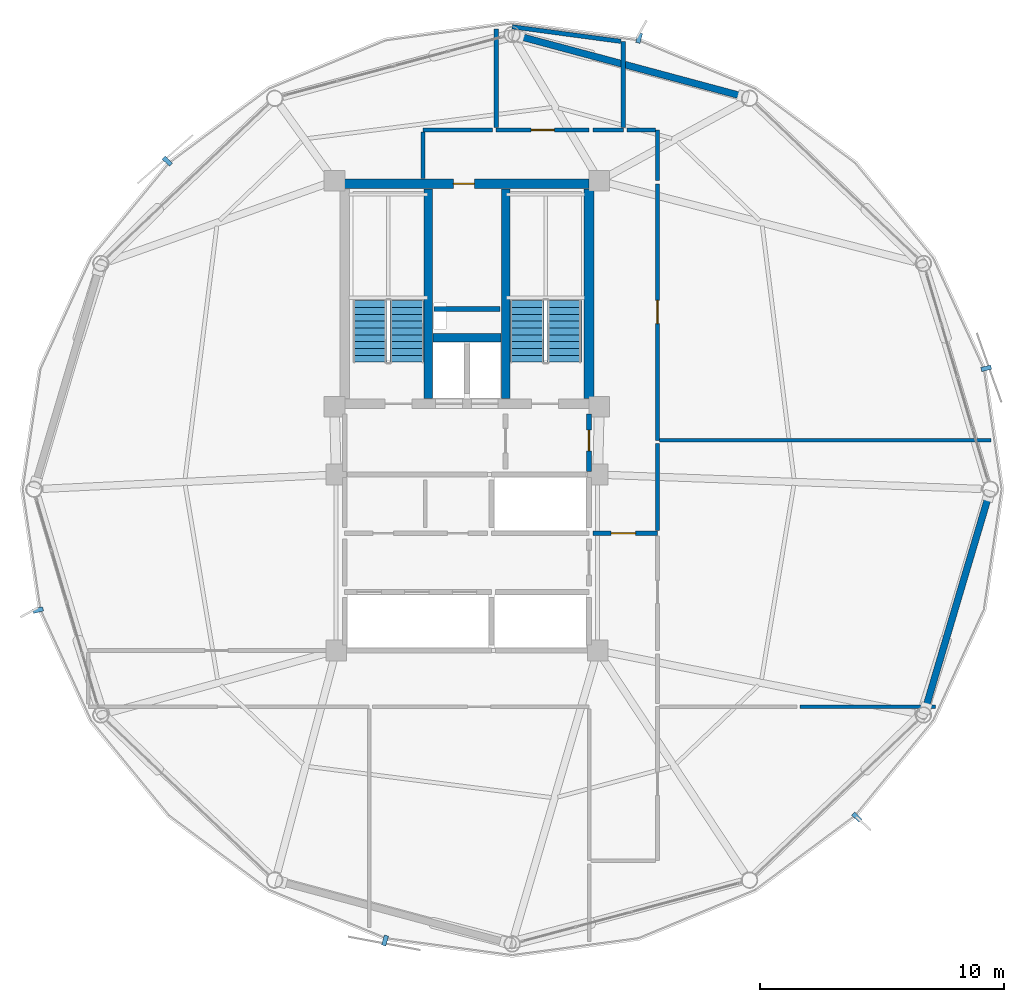
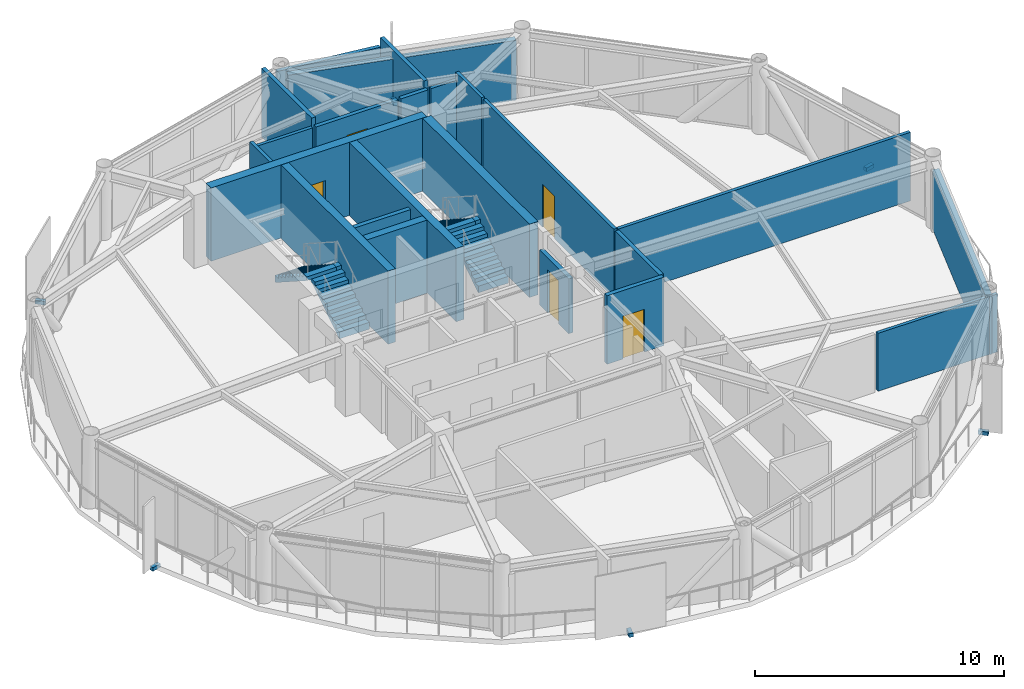
# One storey, part 25 of 29: 23 walls, 6 discrete accessories, 5 doors, 4 stair flights, 5 openings, 2 elements without a shape of their own.
"""IFC4 building model written with IfcOpenShell, lengths in metres."""

from ifc_helpers import new_model, si_unit, direction, frame, frame_2d, origin, origin_2d, place, context, subcontext, project, spatial, polyline, rectangle, outline, extrude, source, transform, mapped, material, layer, layer_set, type_object, type_shapes, element, fill, aggregate, save


model = new_model("IFC4")

# Units and contexts
model_context = context("Model", 3, precision=1e-05, world=origin(), true_north=direction((0.0, 1.0)))
body_context = subcontext(model_context, "Body", "Model", "MODEL_VIEW")
ifc_project = project(units=[si_unit("LENGTHUNIT", "METRE"), si_unit("AREAUNIT", "SQUARE_METRE"), si_unit("VOLUMEUNIT", "CUBIC_METRE"), si_unit("PLANEANGLEUNIT", "RADIAN"), si_unit("MASSUNIT", "GRAM", prefix="KILO")], contexts=[model_context])

# Site, building, storey
site_placement = place(None, origin())
site = spatial("IfcSite", under=ifc_project, at=site_placement, CompositionType="ELEMENT")
building_placement = place(site_placement, origin())
building = spatial("IfcBuilding", under=site, at=building_placement, Name="Varnakorn Sky Granary", CompositionType="ELEMENT")
storey_placement = place(building_placement, frame((0.0, 0.0, 189.60009765625)))
storey = spatial("IfcBuildingStorey", under=building, at=storey_placement, Name="L47", CompositionType="ELEMENT", Elevation=189.60009765625)

# Walls
ifc_material_1 = material(Name="Concrete C50/60", Category="concrete")
ifc_layer_1 = layer(ifc_material_1, 0.35009765625, Name="Concrete C50/60")
ifc_layer_set_1 = layer_set([ifc_layer_1], Name="Concrete C50/60")
wall_type_1 = type_object("IfcWallType", Name="WT-CW-INT-350", PredefinedType="SHEAR", material=ifc_layer_set_1)
for number, where, z_axis, x_axis, name in (
    (1, (1.419921875, 3.7099609375, 0.0), (0.0, 0.0, 1.0), (0.0, 1.0, 0.0), "Stair ST-1 Core Wall L47"),
    (2, (4.580078125, 3.7099609375, 0.0), (0.0, 0.0, 1.0), (0.0, 1.0, 0.0), "Stair ST-2 Core Wall L47"),
):
    element("IfcWall", number, at=place(storey_placement, frame(where, z_axis=z_axis, x_axis=x_axis)), inside=storey, type_object=wall_type_1, Name=name, PredefinedType="SHEAR", context=body_context, shape_type="SweptSolid", body=[
        extrude(rectangle(XDim=8.580078125, YDim=0.35009765625, at=frame_2d((4.2900390625, 0.0))), origin(), (0.0, 0.0, 1.0), 3.591796875),
    ])
wall_1_placement = place(storey_placement, frame((1.610107421875, 6.199951171875, 0.0), z_axis=(0.0, 0.0, 1.0), x_axis=(1.0, 0.0, 0.0)))
element("IfcWall", 3, at=wall_1_placement, inside=storey, type_object=wall_type_1, Name="Core Lift Shaft Cross Wall L47", PredefinedType="SHEAR", context=body_context, shape_type="SweptSolid", body=[
    extrude(rectangle(XDim=2.77978515625, YDim=0.35009765625, at=frame_2d((1.389892578125, 0.0))), origin(), (0.0, 0.0, 1.0), 3.591796875),
])

# Wall, opening, door
ifc_layer_2 = layer(ifc_material_1, 0.39990234375, Name="Concrete C50/60")
ifc_layer_set_2 = layer_set([ifc_layer_2], Name="Concrete C50/60")
wall_type_2 = type_object("IfcWallType", Name="WT-CW-SHEAR-400", PredefinedType="SHEAR", material=ifc_layer_set_2)
wall_2_placement = place(storey_placement, frame((-2.0, 12.5, 0.0), z_axis=(0.0, 0.0, 1.0), x_axis=(1.0, 0.0, 0.0)))
wall_2 = element("IfcWall", 4, at=wall_2_placement, inside=storey, type_object=wall_type_2, Name="Core North Shear Wall L47", PredefinedType="SHEAR", context=body_context, shape_type="SweptSolid", body=[
    extrude(rectangle(XDim=10.0, YDim=0.39990234375, at=frame_2d((5.0, 0.0))), origin(), (0.0, 0.0, 1.0), 3.591796875),
])
opening_1_placement = place(wall_2_placement, frame((4.449951171875, 0.0, 0.0)))
opening_1 = element("IfcOpeningElement", 5, at=opening_1_placement, cuts=wall_2, Name="Opening FD-60N", PredefinedType="OPENING", context=body_context, shape_type="SweptSolid", body=[
    extrude(rectangle(XDim=0.85009765625, YDim=2.10009765625, at=frame_2d((0.425048828125, 1.050048828125))), frame((0.0, 0.2099609375, 0.0), z_axis=(0.0, -1.0, 0.0), x_axis=(1.0, 0.0, 0.0)), (0.0, 0.0, 1.0), 0.419921875),
])
ifc_material_2 = material(Name="Acoustic Timber Fire Leaf", Category="wood")
door_type_1 = type_object("IfcDoorType", Name="DR-FD60-850", OperationType="NOTDEFINED", PredefinedType="DOOR", material=ifc_material_2)
door_1_placement = place(opening_1_placement, origin())
door_1 = element("IfcDoor", 6, at=door_1_placement, inside=storey, type_object=door_type_1, Name="Core North Service Door L47", OperationType="SINGLE_SWING_LEFT", OverallHeight=2.10009765625, OverallWidth=0.85009765625, PredefinedType="DOOR", context=body_context, shape_type="SweptSolid", body=[
    extrude(rectangle(XDim=0.85009765625, YDim=2.10009765625, at=frame_2d((0.425048828125, 1.050048828125))), frame((0.0, 0.02490234375, 0.0), z_axis=(0.0, -1.0, 0.0), x_axis=(1.0, 0.0, 0.0)), (0.0, 0.0, 1.0), 0.050048828125),
])
fill(opening_1, door_1)

# Walls
wall_3_placement = place(storey_placement, frame((8.0, 3.7099609375, 0.0), z_axis=(0.0, 0.0, 1.0), x_axis=(0.0, 1.0, 0.0)))
element("IfcWall", 7, at=wall_3_placement, inside=storey, type_object=wall_type_2, Name="Core East Shear Wall L47", PredefinedType="SHEAR", context=body_context, shape_type="SweptSolid", body=[
    extrude(rectangle(XDim=8.580078125, YDim=0.39990234375, at=frame_2d((4.2900390625, 0.0))), origin(), (0.0, 0.0, 1.0), 3.591796875),
])
ifc_material_3 = material(Name="Precast concrete C40/50", Category="concrete")
ifc_layer_3 = layer(ifc_material_3, 0.280029296875, Name="Precast concrete C40/50")
ifc_layer_set_3 = layer_set([ifc_layer_3], Name="Precast concrete C40/50")
wall_type_3 = type_object("IfcWallType", Name="WT-EW-CRN-280", PredefinedType="SOLIDWALL", material=ifc_layer_set_3)
wall_4_placement = place(storey_placement, frame((5.125244140625, 18.541015625, 0.0), z_axis=(0.0, 0.0, 1.0), x_axis=(0.965778151595, -0.259369546981, 0.0)))
element("IfcWall", 8, at=wall_4_placement, inside=storey, type_object=wall_type_3, Name="Agritech Insulated Precast Facade Wall L47-P03", PredefinedType="SOLIDWALL", context=body_context, shape_type="SweptSolid", body=[
    extrude(rectangle(XDim=9.49658203125, YDim=0.280029296875, at=frame_2d((4.748291015625, 0.0))), origin(), (0.0, 0.0, 1.0), 2.929931640625),
])
wall_5_placement = place(storey_placement, frame((24.347900390625, -0.273193359375, 0.0), z_axis=(0.0, 0.0, 1.0), x_axis=(-0.2842909157, -0.958738063942, 0.0)))
element("IfcWall", 9, at=wall_5_placement, inside=storey, type_object=wall_type_3, Name="Agritech Insulated Precast Facade Wall L47-P12", PredefinedType="SOLIDWALL", context=body_context, shape_type="SweptSolid", body=[
    extrude(rectangle(XDim=9.06787109375, YDim=0.280029296875, at=frame_2d((4.533935546875, 0.0))), origin(), (0.0, 0.0, 1.0), 2.929931640625),
])

# Wall, opening, door
ifc_material_4 = material(Name="Autoclaved Aerated Concrete Blockwork", Category="masonry")
ifc_layer_4 = layer(ifc_material_4, 0.199951171875, Name="Autoclaved Aerated Concrete Blockwork")
ifc_layer_set_4 = layer_set([ifc_layer_4], Name="Autoclaved Aerated Concrete Blockwork")
wall_type_4 = type_object("IfcWallType", Name="WT-FIRE-200", PredefinedType="MOVABLE", material=ifc_layer_set_4)
wall_6_placement = place(storey_placement, frame((8.0, 0.719970703125, 0.0), z_axis=(0.0, 0.0, 1.0), x_axis=(0.0, 1.0, 0.0)))
wall_6 = element("IfcWall", 10, at=wall_6_placement, inside=storey, type_object=wall_type_4, Name="Interior Partition Wall L47-015", PredefinedType="MOVABLE", context=body_context, shape_type="SweptSolid", body=[
    extrude(rectangle(XDim=2.35009765625, YDim=0.199951171875, at=frame_2d((1.175048828125, 0.0))), origin(), (0.0, 0.0, 1.0), 2.69189453125),
])
opening_2_placement = place(wall_6_placement, frame((0.844970703125, 0.0, 0.0)))
opening_2 = element("IfcOpeningElement", 11, at=opening_2_placement, cuts=wall_6, Name="Opening FD-60N", PredefinedType="OPENING", context=body_context, shape_type="SweptSolid", body=[
    extrude(rectangle(XDim=0.85009765625, YDim=2.10009765625, at=frame_2d((0.425048828125, 1.050048828125))), frame((0.0, 0.10986328125, 0.0), z_axis=(0.0, -1.0, 0.0), x_axis=(1.0, 0.0, 0.0)), (0.0, 0.0, 1.0), 0.219970703125),
])
door_2_placement = place(opening_2_placement, origin())
door_2 = element("IfcDoor", 12, at=door_2_placement, inside=storey, type_object=door_type_1, Name="Interior Door L47-015-1", OperationType="SINGLE_SWING_LEFT", OverallHeight=2.10009765625, OverallWidth=0.85009765625, PredefinedType="DOOR", context=body_context, shape_type="SweptSolid", body=[
    extrude(rectangle(XDim=0.85009765625, YDim=2.10009765625, at=frame_2d((0.425048828125, 1.050048828125))), frame((0.0, 0.02490234375, 0.0), z_axis=(0.0, -1.0, 0.0), x_axis=(1.0, 0.0, 0.0)), (0.0, 0.0, 1.0), 0.050048828125),
])
fill(opening_2, door_2)

wall_7_placement = place(storey_placement, frame((8.159912109375, -1.800048828125, 0.0), z_axis=(0.0, 0.0, 1.0), x_axis=(1.0, 0.0, 0.0)))
wall_7 = element("IfcWall", 13, at=wall_7_placement, inside=storey, type_object=wall_type_4, Name="Interior Partition Wall L47-018", PredefinedType="MOVABLE", context=body_context, shape_type="SweptSolid", body=[
    extrude(rectangle(XDim=2.64013671875, YDim=0.199951171875, at=frame_2d((1.320068359375, 0.0))), origin(), (0.0, 0.0, 1.0), 3.35986328125),
])
opening_3_placement = place(wall_7_placement, frame((0.739990234375, 0.0, 0.0)))
opening_3 = element("IfcOpeningElement", 14, at=opening_3_placement, cuts=wall_7, Name="Opening FD-60", PredefinedType="OPENING", context=body_context, shape_type="SweptSolid", body=[
    extrude(rectangle(XDim=1.0, YDim=2.10009765625, at=frame_2d((0.5, 1.050048828125))), frame((0.0, 0.10986328125, 0.0), z_axis=(0.0, -1.0, 0.0), x_axis=(1.0, 0.0, 0.0)), (0.0, 0.0, 1.0), 0.219970703125),
])
door_type_2 = type_object("IfcDoorType", Name="DR-FD60-1000", OperationType="NOTDEFINED", PredefinedType="DOOR", material=ifc_material_2)
door_3_placement = place(opening_3_placement, origin())
door_3 = element("IfcDoor", 15, at=door_3_placement, inside=storey, type_object=door_type_2, Name="Interior Door L47-018-1", OperationType="SINGLE_SWING_LEFT", OverallHeight=2.10009765625, OverallWidth=1.0, PredefinedType="DOOR", context=body_context, shape_type="SweptSolid", body=[
    extrude(rectangle(XDim=1.0, YDim=2.10009765625, at=frame_2d((0.5, 1.050048828125))), frame((0.0, 0.02490234375, 0.0), z_axis=(0.0, -1.0, 0.0), x_axis=(1.0, 0.0, 0.0)), (0.0, 0.0, 1.0), 0.050048828125),
])
fill(opening_3, door_3)

ifc_material_5 = material(Name="Gypsum Plasterboard on Steel Stud", Category="steel")
ifc_layer_5 = layer(ifc_material_5, 0.14990234375, Name="Gypsum Plasterboard on Steel Stud")
ifc_layer_set_5 = layer_set([ifc_layer_5], Name="Gypsum Plasterboard on Steel Stud")
wall_type_5 = type_object("IfcWallType", Name="WT-PART-150", PredefinedType="PARTITIONING", material=ifc_layer_set_5)
wall_8_placement = place(storey_placement, frame((10.800048828125, 2.0, 0.0), z_axis=(0.0, 0.0, 1.0), x_axis=(0.0, 1.0, 0.0)))
wall_8 = element("IfcWall", 16, at=wall_8_placement, inside=storey, type_object=wall_type_5, Name="Interior Partition Wall L47-025", PredefinedType="PARTITIONING", context=body_context, shape_type="SweptSolid", body=[
    extrude(rectangle(XDim=10.5, YDim=0.14990234375, at=frame_2d((5.25, 0.0))), origin(), (0.0, 0.0, 1.0), 3.35986328125),
])
opening_4_placement = place(wall_8_placement, frame((4.77490234375, 0.0, 0.0)))
opening_4 = element("IfcOpeningElement", 17, at=opening_4_placement, cuts=wall_8, Name="Opening ID-95", PredefinedType="OPENING", context=body_context, shape_type="SweptSolid", body=[
    extrude(rectangle(XDim=0.949951171875, YDim=2.10009765625, at=frame_2d((0.47509765625, 1.050048828125))), frame((0.0, 0.0849609375, 0.0), z_axis=(0.0, -1.0, 0.0), x_axis=(1.0, 0.0, 0.0)), (0.0, 0.0, 1.0), 0.169921875),
])
ifc_material_6 = material(Name="Solid-Core Teak Veneer Leaf", Category="timber")
door_type_3 = type_object("IfcDoorType", Name="DR-INT-950", OperationType="NOTDEFINED", PredefinedType="DOOR", material=ifc_material_6)
door_4_placement = place(opening_4_placement, origin())
door_4 = element("IfcDoor", 18, at=door_4_placement, inside=storey, type_object=door_type_3, Name="Interior Door L47-025-1", OperationType="SINGLE_SWING_RIGHT", OverallHeight=2.10009765625, OverallWidth=0.949951171875, PredefinedType="DOOR", context=body_context, shape_type="SweptSolid", body=[
    extrude(rectangle(XDim=0.949951171875, YDim=2.10009765625, at=frame_2d((0.47509765625, 1.050048828125))), frame((0.0, 0.02490234375, 0.0), z_axis=(0.0, -1.0, 0.0), x_axis=(1.0, 0.0, 0.0)), (0.0, 0.0, 1.0), 0.050048828125),
])
fill(opening_4, door_4)

# Walls
wall_9_placement = place(storey_placement, frame((16.635009765625, -8.89990234375, 0.0), z_axis=(0.0, 0.0, 1.0), x_axis=(1.0, 0.0, 0.0)))
element("IfcWall", 19, at=wall_9_placement, inside=storey, type_object=wall_type_5, Name="Interior Partition Wall L47-037", PredefinedType="PARTITIONING", context=body_context, shape_type="SweptSolid", body=[
    extrude(rectangle(XDim=5.549072265625, YDim=0.14990234375, at=frame_2d((2.7744140625, 0.0))), origin(), (0.0, 0.0, 1.0), 2.841796875),
])
wall_10_placement = place(storey_placement, frame((4.050048828125, 14.699951171875, 0.0), z_axis=(0.0, 0.0, 1.0), x_axis=(-1.0, 0.0, 0.0)))
element("IfcWall", 20, at=wall_10_placement, inside=storey, type_object=wall_type_5, Name="Interior Partition Wall L47-039", PredefinedType="PARTITIONING", context=body_context, shape_type="SweptSolid", body=[
    extrude(rectangle(XDim=2.85009765625, YDim=0.14990234375, at=frame_2d((1.425048828125, 0.0))), origin(), (0.0, 0.0, 1.0), 3.011962890625),
])
wall_11_placement = place(storey_placement, frame((1.199951171875, 14.614990234375, 0.0), z_axis=(0.0, 0.0, 1.0), x_axis=(0.0, -1.0, 0.0)))
element("IfcWall", 21, at=wall_11_placement, inside=storey, type_object=wall_type_5, Name="Interior Partition Wall L47-040", PredefinedType="PARTITIONING", context=body_context, shape_type="SweptSolid", body=[
    extrude(rectangle(XDim=1.905029296875, YDim=0.14990234375, at=frame_2d((0.95263671875, 0.0))), origin(), (0.0, 0.0, 1.0), 3.35986328125),
])
wall_12_placement = place(storey_placement, frame((10.885009765625, 2.0, 0.0), z_axis=(0.0, 0.0, 1.0), x_axis=(1.0, 0.0, 0.0)))
element("IfcWall", 22, at=wall_12_placement, inside=storey, type_object=wall_type_5, Name="Interior Partition Wall L47-044", PredefinedType="PARTITIONING", context=body_context, shape_type="SweptSolid", body=[
    extrude(rectangle(XDim=13.55908203125, YDim=0.14990234375, at=frame_2d((6.779541015625, 0.0))), origin(), (0.0, 0.0, 1.0), 3.35986328125),
])
wall_13_placement = place(storey_placement, frame((10.800048828125, 12.635009765625, 0.0), z_axis=(0.0, 0.0, 1.0), x_axis=(0.0, 1.0, 0.0)))
element("IfcWall", 23, at=wall_13_placement, inside=storey, type_object=wall_type_5, Name="Interior Partition Wall L47-045", PredefinedType="PARTITIONING", context=body_context, shape_type="SweptSolid", body=[
    extrude(rectangle(XDim=2.06494140625, YDim=0.14990234375, at=frame_2d((1.032470703125, 0.0))), origin(), (0.0, 0.0, 1.0), 3.35986328125),
])
wall_14_placement = place(storey_placement, frame((10.715087890625, 14.699951171875, 0.0), z_axis=(0.0, 0.0, 1.0), x_axis=(-1.0, 0.0, 0.0)))
element("IfcWall", 24, at=wall_14_placement, inside=storey, type_object=wall_type_5, Name="Interior Partition Wall L47-046", PredefinedType="PARTITIONING", context=body_context, shape_type="SweptSolid", body=[
    extrude(rectangle(XDim=1.1650390625, YDim=0.14990234375, at=frame_2d((0.58251953125, 0.0))), origin(), (0.0, 0.0, 1.0), 3.011962890625),
])

# Wall, opening, door
ifc_material_7 = material(Name="Moisture-Resistant Gypsum on Stud", Category="gypsum")
ifc_layer_6 = layer(ifc_material_7, 0.179931640625, Name="Moisture-Resistant Gypsum on Stud")
ifc_layer_set_6 = layer_set([ifc_layer_6], Name="Moisture-Resistant Gypsum on Stud")
wall_type_6 = type_object("IfcWallType", Name="WT-PLUMB-180", PredefinedType="PLUMBINGWALL", material=ifc_layer_set_6)
wall_15_placement = place(storey_placement, frame((8.0, 14.699951171875, 0.0), z_axis=(0.0, 0.0, 1.0), x_axis=(-1.0, 0.0, 0.0)))
wall_15 = element("IfcWall", 25, at=wall_15_placement, inside=storey, type_object=wall_type_6, Name="Interior Partition Wall L47-019", PredefinedType="PLUMBINGWALL", context=body_context, shape_type="SweptSolid", body=[
    extrude(rectangle(XDim=3.800048828125, YDim=0.179931640625, at=frame_2d((1.89990234375, 0.0))), origin(), (0.0, 0.0, 1.0), 3.011962890625),
])
opening_5_placement = place(wall_15_placement, frame((1.425048828125, 0.0, 0.0)))
opening_5 = element("IfcOpeningElement", 26, at=opening_5_placement, cuts=wall_15, Name="Opening ID-95", PredefinedType="OPENING", context=body_context, shape_type="SweptSolid", body=[
    extrude(rectangle(XDim=0.949951171875, YDim=2.10009765625, at=frame_2d((0.47509765625, 1.050048828125))), frame((0.0, 0.10009765625, 0.0), z_axis=(0.0, -1.0, 0.0), x_axis=(1.0, 0.0, 0.0)), (0.0, 0.0, 1.0), 0.199951171875),
])
door_5_placement = place(opening_5_placement, origin())
door_5 = element("IfcDoor", 27, at=door_5_placement, inside=storey, type_object=door_type_3, Name="Interior Door L47-019-1", OperationType="SINGLE_SWING_RIGHT", OverallHeight=2.10009765625, OverallWidth=0.949951171875, PredefinedType="DOOR", context=body_context, shape_type="SweptSolid", body=[
    extrude(rectangle(XDim=0.949951171875, YDim=2.10009765625, at=frame_2d((0.47509765625, 1.050048828125))), frame((0.0, 0.02490234375, 0.0), z_axis=(0.0, -1.0, 0.0), x_axis=(1.0, 0.0, 0.0)), (0.0, 0.0, 1.0), 0.050048828125),
])
fill(opening_5, door_5)

# Walls
wall_16_placement = place(storey_placement, frame((9.39990234375, 14.699951171875, 0.0), z_axis=(0.0, 0.0, 1.0), x_axis=(-1.0, 0.0, 0.0)))
element("IfcWall", 28, at=wall_16_placement, inside=storey, type_object=wall_type_6, Name="Interior Partition Wall L47-031", PredefinedType="PLUMBINGWALL", context=body_context, shape_type="SweptSolid", body=[
    extrude(rectangle(XDim=1.25, YDim=0.179931640625, at=frame_2d((0.625, 0.0))), origin(), (0.0, 0.0, 1.0), 3.011962890625),
])
wall_17_placement = place(storey_placement, frame((4.199951171875, 18.837890625, 0.0), z_axis=(0.0, 0.0, 1.0), x_axis=(0.0, -1.0, 0.0)))
element("IfcWall", 29, at=wall_17_placement, inside=storey, type_object=wall_type_6, Name="Interior Partition Wall L47-041", PredefinedType="PLUMBINGWALL", context=body_context, shape_type="SweptSolid", body=[
    extrude(rectangle(XDim=4.037841796875, YDim=0.179931640625, at=frame_2d((2.01904296875, 0.0))), origin(), (0.0, 0.0, 1.0), 3.35986328125),
])
wall_18_placement = place(storey_placement, frame((10.800048828125, -1.68994140625, 0.0), z_axis=(0.0, 0.0, 1.0), x_axis=(0.0, 1.0, 0.0)))
element("IfcWall", 30, at=wall_18_placement, inside=storey, type_object=wall_type_6, Name="Interior Partition Wall L47-043", PredefinedType="PLUMBINGWALL", context=body_context, shape_type="SweptSolid", body=[
    extrude(rectangle(XDim=3.554931640625, YDim=0.179931640625, at=frame_2d((1.77734375, 0.0))), origin(), (0.0, 0.0, 1.0), 3.35986328125),
])
wall_19_placement = place(storey_placement, frame((9.39990234375, 14.800048828125, 0.0), z_axis=(0.0, 0.0, 1.0), x_axis=(0.0, 1.0, 0.0)))
element("IfcWall", 31, at=wall_19_placement, inside=storey, type_object=wall_type_6, Name="Interior Partition Wall L47-047", PredefinedType="PLUMBINGWALL", context=body_context, shape_type="SweptSolid", body=[
    extrude(rectangle(XDim=3.514892578125, YDim=0.179931640625, at=frame_2d((1.75732421875, 0.0))), origin(), (0.0, 0.0, 1.0), 3.35986328125),
])
wall_20_placement = place(storey_placement, frame((9.301025390625, 18.327880859375, 0.0), z_axis=(0.0, 0.0, 1.0), x_axis=(-0.991119313956, 0.132975582356, 0.0)))
element("IfcWall", 32, at=wall_20_placement, inside=storey, type_object=wall_type_6, Name="Interior Partition Wall L47-048", PredefinedType="PLUMBINGWALL", context=body_context, shape_type="SweptSolid", body=[
    extrude(rectangle(XDim=4.49072265625, YDim=0.179931640625, at=frame_2d((2.245361328125, 0.0))), origin(), (0.0, 0.0, 1.0), 2.94189453125),
])
ifc_layer_7 = layer(ifc_material_4, 0.199951171875, Name="Autoclaved Aerated Concrete Blockwork")
ifc_layer_set_7 = layer_set([ifc_layer_7], Name="Autoclaved Aerated Concrete Blockwork")
wall_type_7 = type_object("IfcWallType", Name="WT-SHAFT-200", PredefinedType="SOLIDWALL", material=ifc_layer_set_7)
wall_21_placement = place(storey_placement, frame((1.64990234375, 7.3798828125, 0.0), z_axis=(0.0, 0.0, 1.0), x_axis=(1.0, 0.0, 0.0)))
element("IfcWall", 33, at=wall_21_placement, inside=storey, type_object=wall_type_7, Name="Interior Partition Wall L47-002", PredefinedType="SOLIDWALL", context=body_context, shape_type="SweptSolid", body=[
    extrude(rectangle(XDim=2.7001953125, YDim=0.199951171875, at=frame_2d((1.35009765625, 0.0))), origin(), (0.0, 0.0, 1.0), 3.35986328125),
])

# Stair, stair flights
ifc_material_8 = material(Name="Concrete C40/50", Category="concrete")
stair_type = type_object("IfcStairType", Name="ST-MAIN-ASSEMBLY", PredefinedType="HALF_TURN_STAIR", material=ifc_material_8)
stair_1_placement = place(storey_placement, origin())
stair_1 = element("IfcStair", 34, at=stair_1_placement, inside=storey, type_object=stair_type, Name="L47 Protected Exit Stair ST-1", PredefinedType="HALF_TURN_STAIR")
stair_flight_type = type_object("IfcStairFlightType", Name="ST-MAIN-FLIGHT", PredefinedType="STRAIGHT", material=ifc_material_8)
stair_flight_1_placement = place(storey_placement, frame((0.550048828125, 5.199951171875, 0.0), z_axis=(0.0, 0.0, 1.0), x_axis=(0.0, 1.0, 0.0)))
stair_flight_1 = element("IfcStairFlight", 35, at=stair_flight_1_placement, type_object=stair_flight_type, Name="ST-1 flight 1", NumberOfRisers=10, NumberOfTreads=9, PredefinedType="STRAIGHT", RiserHeight=0.18, TreadLength=0.28, context=body_context, shape_type="SweptSolid", body=[
    extrude(outline(polyline([(0.0, -0.14990234375), (0.0, 0.0), (0.0, 0.179931640625), (0.280029296875, 0.179931640625), (0.280029296875, 0.360107421875), (0.56005859375, 0.360107421875), (0.56005859375, 0.5400390625), (0.840087890625, 0.5400390625), (0.840087890625, 0.719970703125), (1.1201171875, 0.719970703125), (1.1201171875, 0.89990234375), (1.39990234375, 0.89990234375), (1.39990234375, 1.080078125), (1.679931640625, 1.080078125), (1.679931640625, 1.260009765625), (1.9599609375, 1.260009765625), (1.9599609375, 1.43994140625), (2.239990234375, 1.43994140625), (2.239990234375, 1.6201171875), (2.52001953125, 1.6201171875), (2.52001953125, 1.800048828125), (2.52001953125, 1.44189453125), (0.050048828125, -0.14990234375), (0.0, -0.14990234375)])), frame((0.0, 0.68994140625, 0.0), z_axis=(0.0, -1.0, 0.0), x_axis=(1.0, 0.0, 0.0)), (0.0, 0.0, 1.0), 1.3798828125),
])
stair_flight_2_placement = place(storey_placement, frame((-0.97998046875, 7.719970703125, 1.7998046875), z_axis=(0.0, 0.0, 1.0), x_axis=(0.0, -1.0, 0.0)))
stair_flight_2 = element("IfcStairFlight", 36, at=stair_flight_2_placement, type_object=stair_flight_type, Name="ST-1 flight 2", NumberOfRisers=10, NumberOfTreads=9, PredefinedType="STRAIGHT", RiserHeight=0.18, TreadLength=0.28, context=body_context, shape_type="SweptSolid", body=[
    extrude(outline(polyline([(0.0, -0.14990234375), (0.0, 0.0), (0.0, 0.179931640625), (0.280029296875, 0.179931640625), (0.280029296875, 0.360107421875), (0.56005859375, 0.360107421875), (0.56005859375, 0.5400390625), (0.840087890625, 0.5400390625), (0.840087890625, 0.719970703125), (1.1201171875, 0.719970703125), (1.1201171875, 0.89990234375), (1.39990234375, 0.89990234375), (1.39990234375, 1.080078125), (1.679931640625, 1.080078125), (1.679931640625, 1.260009765625), (1.9599609375, 1.260009765625), (1.9599609375, 1.43994140625), (2.239990234375, 1.43994140625), (2.239990234375, 1.6201171875), (2.52001953125, 1.6201171875), (2.52001953125, 1.800048828125), (2.52001953125, 1.44189453125), (0.050048828125, -0.14990234375), (0.0, -0.14990234375)])), frame((0.0, 0.68994140625, 0.0), z_axis=(0.0, -1.0, 0.0), x_axis=(1.0, 0.0, 0.0)), (0.0, 0.0, 1.0), 1.3798828125),
])
aggregate(stair_1, [stair_flight_1, stair_flight_2])

stair_2_placement = place(storey_placement, origin())
stair_2 = element("IfcStair", 37, at=stair_2_placement, inside=storey, type_object=stair_type, Name="L47 Protected Exit Stair ST-2", PredefinedType="HALF_TURN_STAIR")
stair_flight_3_placement = place(storey_placement, frame((6.989990234375, 5.199951171875, 0.0), z_axis=(0.0, 0.0, 1.0), x_axis=(0.0, 1.0, 0.0)))
stair_flight_3 = element("IfcStairFlight", 38, at=stair_flight_3_placement, type_object=stair_flight_type, Name="ST-2 flight 1", NumberOfRisers=10, NumberOfTreads=9, PredefinedType="STRAIGHT", RiserHeight=0.18, TreadLength=0.28, context=body_context, shape_type="SweptSolid", body=[
    extrude(outline(polyline([(0.0, -0.14990234375), (0.0, 0.0), (0.0, 0.179931640625), (0.280029296875, 0.179931640625), (0.280029296875, 0.360107421875), (0.56005859375, 0.360107421875), (0.56005859375, 0.5400390625), (0.840087890625, 0.5400390625), (0.840087890625, 0.719970703125), (1.1201171875, 0.719970703125), (1.1201171875, 0.89990234375), (1.39990234375, 0.89990234375), (1.39990234375, 1.080078125), (1.679931640625, 1.080078125), (1.679931640625, 1.260009765625), (1.9599609375, 1.260009765625), (1.9599609375, 1.43994140625), (2.239990234375, 1.43994140625), (2.239990234375, 1.6201171875), (2.52001953125, 1.6201171875), (2.52001953125, 1.800048828125), (2.52001953125, 1.44189453125), (0.050048828125, -0.14990234375), (0.0, -0.14990234375)])), frame((0.0, 0.68994140625, 0.0), z_axis=(0.0, -1.0, 0.0), x_axis=(1.0, 0.0, 0.0)), (0.0, 0.0, 1.0), 1.3798828125),
])
stair_flight_4_placement = place(storey_placement, frame((5.4599609375, 7.719970703125, 1.7998046875), z_axis=(0.0, 0.0, 1.0), x_axis=(0.0, -1.0, 0.0)))
stair_flight_4 = element("IfcStairFlight", 39, at=stair_flight_4_placement, type_object=stair_flight_type, Name="ST-2 flight 2", NumberOfRisers=10, NumberOfTreads=9, PredefinedType="STRAIGHT", RiserHeight=0.18, TreadLength=0.28, context=body_context, shape_type="SweptSolid", body=[
    extrude(outline(polyline([(0.0, -0.14990234375), (0.0, 0.0), (0.0, 0.179931640625), (0.280029296875, 0.179931640625), (0.280029296875, 0.360107421875), (0.56005859375, 0.360107421875), (0.56005859375, 0.5400390625), (0.840087890625, 0.5400390625), (0.840087890625, 0.719970703125), (1.1201171875, 0.719970703125), (1.1201171875, 0.89990234375), (1.39990234375, 0.89990234375), (1.39990234375, 1.080078125), (1.679931640625, 1.080078125), (1.679931640625, 1.260009765625), (1.9599609375, 1.260009765625), (1.9599609375, 1.43994140625), (2.239990234375, 1.43994140625), (2.239990234375, 1.6201171875), (2.52001953125, 1.6201171875), (2.52001953125, 1.800048828125), (2.52001953125, 1.44189453125), (0.050048828125, -0.14990234375), (0.0, -0.14990234375)])), frame((0.0, 0.68994140625, 0.0), z_axis=(0.0, -1.0, 0.0), x_axis=(1.0, 0.0, 0.0)), (0.0, 0.0, 1.0), 1.3798828125),
])
aggregate(stair_2, [stair_flight_3, stair_flight_4])

# Discrete accessories
ifc_material_9 = material(Name="Steel S355JR", Category="steel")
discrete_accessory_type = type_object("IfcDiscreteAccessoryType", Name="AC-BRK-01", PredefinedType="BRACKET", material=ifc_material_9)
shared_shape = source(origin(), body_context, "Body", "SweptSolid", [
    extrude(rectangle(XDim=0.179931640625, YDim=0.419921875, at=origin_2d()), origin(), (0.0, 0.0, 1.0), 0.179931640625),
])
type_shapes(discrete_accessory_type, [shared_shape])
for number, where, z_axis, x_axis, name in (
    (40, (24.25, 4.947265625, -0.2001953125), (0.0, 0.0, 1.0), (-0.247105009198, 0.96898870707, 0.0), "Facade Solar-Screen Outrigger Bracket L47-01"),
    (41, (10.049560546875, 18.468017578125, -0.2001953125), (0.0, 0.0, 1.0), (-0.962576658868, 0.271009549283, 0.0), "Facade Solar-Screen Outrigger Bracket L47-03"),
    (42, (-9.258056640625, 13.42236328125, -0.2001953125), (0.0, 0.0, 1.0), (-0.689277808917, -0.724497137423, 0.0), "Facade Solar-Screen Outrigger Bracket L47-05"),
    (43, (-14.550048828125, -4.947265625, -0.2001953125), (0.0, 0.0, 1.0), (0.247105009198, -0.96898870707, 0.0), "Facade Solar-Screen Outrigger Bracket L47-07"),
    (44, (-0.349609375, -18.468017578125, -0.2001953125), (0.0, 0.0, 1.0), (0.962576658868, -0.271009549283, 0.0), "Facade Solar-Screen Outrigger Bracket L47-09"),
    (45, (18.9580078125, -13.42236328125, -0.2001953125), (0.0, 0.0, 1.0), (0.689277808917, 0.724497137423, 0.0), "Facade Solar-Screen Outrigger Bracket L47-11"),
):
    element("IfcDiscreteAccessory", number, at=place(storey_placement, frame(where, z_axis=z_axis, x_axis=x_axis)), inside=storey, type_object=discrete_accessory_type, Name=name, PredefinedType="BRACKET", context=body_context, shape_type="MappedRepresentation", body=[
        mapped(shared_shape, transform((0.0, 0.0, 0.0), x_axis=(1.0, 0.0, 0.0), y_axis=(0.0, 1.0, 0.0), z_axis=(0.0, 0.0, 1.0), scale=1.0)),
    ])

save(model, "model.ifc")
